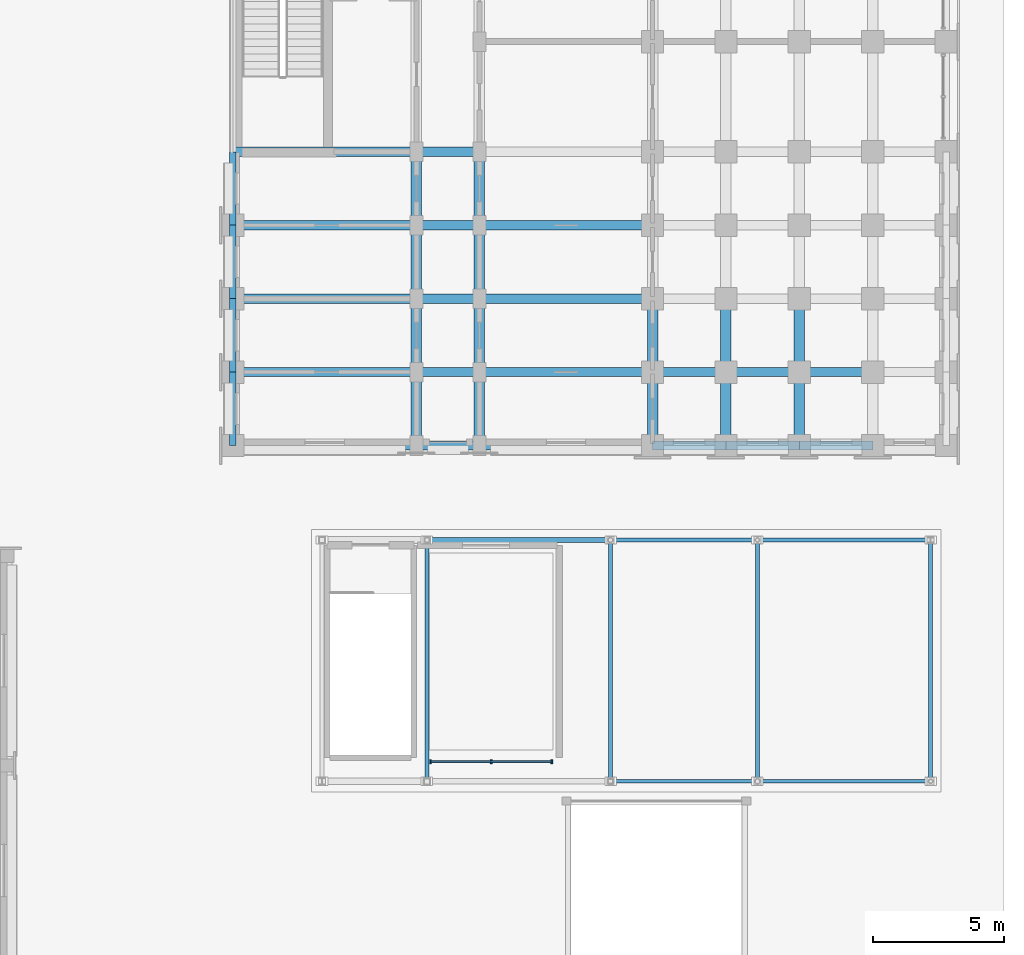
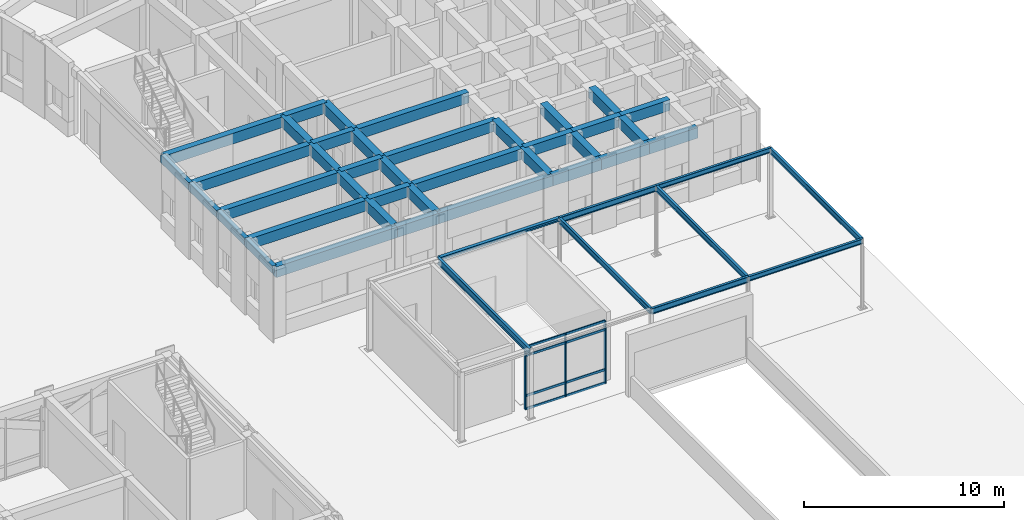
# One storey, part 47 of 135: 47 beams, 7 members, 1 element without a shape of its own.
"""IFC4 building model written with IfcOpenShell, lengths in metres."""

from ifc_helpers import new_model, si_unit, direction, frame, origin, origin_2d, place, context, subcontext, project, spatial, rectangle, i_section, extrude, material, material_profile, profile_set, type_object, element, aggregate, save


model = new_model("IFC4")

# Units and contexts
model_context = context("Model", 3, precision=1e-05, world=origin(), true_north=direction((0.0, 1.0)))
body_context = subcontext(model_context, "Body", "Model", "MODEL_VIEW")
ifc_project = project(units=[si_unit("LENGTHUNIT", "METRE"), si_unit("AREAUNIT", "SQUARE_METRE"), si_unit("VOLUMEUNIT", "CUBIC_METRE"), si_unit("PLANEANGLEUNIT", "RADIAN"), si_unit("MASSUNIT", "GRAM", prefix="KILO")], contexts=[model_context])

# Site, building, storey
site_placement = place(None, origin())
site = spatial("IfcSite", under=ifc_project, at=site_placement, CompositionType="ELEMENT")
building_placement = place(site_placement, origin())
building = spatial("IfcBuilding", under=site, at=building_placement, Name="Kiranvali Square Residences", CompositionType="ELEMENT")
storey_placement = place(building_placement, origin())
storey = spatial("IfcBuildingStorey", under=building, at=storey_placement, Name="L00", CompositionType="ELEMENT", Elevation=0.0)

# Beams
ifc_material_1 = material(Name="Concrete M40 (40 MPa)", Category="concrete")
ifc_material_profile_1 = material_profile(ifc_material_1, rectangle(XDim=0.35009765625, YDim=0.64990234375, at=origin_2d()), Name="RC 350x650")
ifc_profile_set_1 = profile_set([ifc_material_profile_1], Name="Concrete M40 (40 MPa)")
beam_type_1 = type_object("IfcBeamType", Name="BM-M40-350x650", PredefinedType="BEAM", material=ifc_profile_set_1)
beam_1_placement = place(storey_placement, frame((138.60009765625, 79.39990234375, 3.824951171875), z_axis=(1.0, 0.0, 0.0), x_axis=(0.0, 1.0, 0.0)))
element("IfcBeam", 1, at=beam_1_placement, inside=storey, type_object=beam_type_1, Name="L00 beam BM-B-L00-A2T1-01", PredefinedType="BEAM", context=body_context, shape_type="SweptSolid", body=[
    extrude(rectangle(XDim=0.35009765625, YDim=0.64990234375, at=origin_2d()), origin(), (0.0, 0.0, 1.0), 7.0),
])
beam_2_placement = place(storey_placement, frame((145.60009765625, 79.39990234375, 3.824951171875), z_axis=(1.0, 0.0, 0.0), x_axis=(0.0, 1.0, 0.0)))
element("IfcBeam", 2, at=beam_2_placement, inside=storey, type_object=beam_type_1, Name="L00 beam BM-B-L00-A2T1-12", PredefinedType="BEAM", context=body_context, shape_type="SweptSolid", body=[
    extrude(rectangle(XDim=0.35009765625, YDim=0.64990234375, at=origin_2d()), origin(), (0.0, 0.0, 1.0), 2.39990234375),
])
beam_3_placement = place(storey_placement, frame((138.60009765625, 76.60009765625, 3.824951171875), z_axis=(1.0, 0.0, 0.0), x_axis=(0.0, 1.0, 0.0)))
element("IfcBeam", 3, at=beam_3_placement, inside=storey, type_object=beam_type_1, Name="L00 beam BM-B-L00-A2T2-01", PredefinedType="BEAM", context=body_context, shape_type="SweptSolid", body=[
    extrude(rectangle(XDim=0.35009765625, YDim=0.64990234375, at=origin_2d()), origin(), (0.0, 0.0, 1.0), 7.0),
])
beam_4_placement = place(storey_placement, frame((145.60009765625, 76.60009765625, 3.824951171875), z_axis=(1.0, 0.0, 0.0), x_axis=(0.0, 1.0, 0.0)))
element("IfcBeam", 4, at=beam_4_placement, inside=storey, type_object=beam_type_1, Name="L00 beam BM-B-L00-A2T2-12", PredefinedType="BEAM", context=body_context, shape_type="SweptSolid", body=[
    extrude(rectangle(XDim=0.35009765625, YDim=0.64990234375, at=origin_2d()), origin(), (0.0, 0.0, 1.0), 2.39990234375),
])
beam_5_placement = place(storey_placement, frame((148.0, 76.60009765625, 3.824951171875), z_axis=(1.0, 0.0, 0.0), x_axis=(0.0, 1.0, 0.0)))
element("IfcBeam", 5, at=beam_5_placement, inside=storey, type_object=beam_type_1, Name="L00 beam BM-B-L00-A2T2-23", PredefinedType="BEAM", context=body_context, shape_type="SweptSolid", body=[
    extrude(rectangle(XDim=0.35009765625, YDim=0.64990234375, at=origin_2d()), origin(), (0.0, 0.0, 1.0), 6.60009765625),
])
beam_6_placement = place(storey_placement, frame((138.60009765625, 73.800048828125, 3.824951171875), z_axis=(1.0, 0.0, 0.0), x_axis=(0.0, 1.0, 0.0)))
element("IfcBeam", 6, at=beam_6_placement, inside=storey, type_object=beam_type_1, Name="L00 beam BM-B-L00-A2T3-01", PredefinedType="BEAM", context=body_context, shape_type="SweptSolid", body=[
    extrude(rectangle(XDim=0.35009765625, YDim=0.64990234375, at=origin_2d()), origin(), (0.0, 0.0, 1.0), 7.0),
])
beam_7_placement = place(storey_placement, frame((145.60009765625, 73.800048828125, 3.824951171875), z_axis=(1.0, 0.0, 0.0), x_axis=(0.0, 1.0, 0.0)))
element("IfcBeam", 7, at=beam_7_placement, inside=storey, type_object=beam_type_1, Name="L00 beam BM-B-L00-A2T3-12", PredefinedType="BEAM", context=body_context, shape_type="SweptSolid", body=[
    extrude(rectangle(XDim=0.35009765625, YDim=0.64990234375, at=origin_2d()), origin(), (0.0, 0.0, 1.0), 2.39990234375),
])
beam_8_placement = place(storey_placement, frame((148.0, 73.800048828125, 3.824951171875), z_axis=(1.0, 0.0, 0.0), x_axis=(0.0, 1.0, 0.0)))
element("IfcBeam", 8, at=beam_8_placement, inside=storey, type_object=beam_type_1, Name="L00 beam BM-B-L00-A2T3-23", PredefinedType="BEAM", context=body_context, shape_type="SweptSolid", body=[
    extrude(rectangle(XDim=0.35009765625, YDim=0.64990234375, at=origin_2d()), origin(), (0.0, 0.0, 1.0), 6.60009765625),
])
beam_9_placement = place(storey_placement, frame((138.60009765625, 71.0, 3.824951171875), z_axis=(1.0, 0.0, 0.0), x_axis=(0.0, 1.0, 0.0)))
element("IfcBeam", 9, at=beam_9_placement, inside=storey, type_object=beam_type_1, Name="L00 beam BM-B-L00-A2T4-01", PredefinedType="BEAM", context=body_context, shape_type="SweptSolid", body=[
    extrude(rectangle(XDim=0.35009765625, YDim=0.64990234375, at=origin_2d()), origin(), (0.0, 0.0, 1.0), 7.0),
])
beam_10_placement = place(storey_placement, frame((145.60009765625, 71.0, 3.824951171875), z_axis=(1.0, 0.0, 0.0), x_axis=(0.0, 1.0, 0.0)))
element("IfcBeam", 10, at=beam_10_placement, inside=storey, type_object=beam_type_1, Name="L00 beam BM-B-L00-A2T4-12", PredefinedType="BEAM", context=body_context, shape_type="SweptSolid", body=[
    extrude(rectangle(XDim=0.35009765625, YDim=0.64990234375, at=origin_2d()), origin(), (0.0, 0.0, 1.0), 2.39990234375),
])
beam_11_placement = place(storey_placement, frame((148.0, 71.0, 3.824951171875), z_axis=(1.0, 0.0, 0.0), x_axis=(0.0, 1.0, 0.0)))
element("IfcBeam", 11, at=beam_11_placement, inside=storey, type_object=beam_type_1, Name="L00 beam BM-B-L00-A2T4-23", PredefinedType="BEAM", context=body_context, shape_type="SweptSolid", body=[
    extrude(rectangle(XDim=0.35009765625, YDim=0.64990234375, at=origin_2d()), origin(), (0.0, 0.0, 1.0), 6.60009765625),
])
beam_12_placement = place(storey_placement, frame((154.60009765625, 71.0, 3.824951171875), z_axis=(1.0, 0.0, 0.0), x_axis=(0.0, 1.0, 0.0)))
element("IfcBeam", 12, at=beam_12_placement, inside=storey, type_object=beam_type_1, Name="L00 beam BM-B-L00-A2T4-34", PredefinedType="BEAM", context=body_context, shape_type="SweptSolid", body=[
    extrude(rectangle(XDim=0.35009765625, YDim=0.64990234375, at=origin_2d()), origin(), (0.0, 0.0, 1.0), 2.7998046875),
])
for number, where, z_axis, x_axis, name in (
    (13, (157.39990234375, 71.0, 3.824951171875), (1.0, 0.0, 0.0), (0.0, 1.0, 0.0), "L00 beam BM-B-L00-A2T4-45"),
    (14, (160.199951171875, 71.0, 3.824951171875), (1.0, 0.0, 0.0), (0.0, 1.0, 0.0), "L00 beam BM-B-L00-A2T4-56"),
):
    element("IfcBeam", number, at=place(storey_placement, frame(where, z_axis=z_axis, x_axis=x_axis)), inside=storey, type_object=beam_type_1, Name=name, PredefinedType="BEAM", context=body_context, shape_type="SweptSolid", body=[
        extrude(rectangle(XDim=0.35009765625, YDim=0.64990234375, at=origin_2d()), origin(), (0.0, 0.0, 1.0), 2.800048828125),
    ])
beam_13_placement = place(storey_placement, frame((138.60009765625, 68.199951171875, 3.824951171875), z_axis=(1.0, 0.0, 0.0), x_axis=(0.0, 1.0, 0.0)))
element("IfcBeam", 15, at=beam_13_placement, inside=storey, type_object=beam_type_1, Name="L00 beam BM-B-L00-A2T5-01", PredefinedType="BEAM", context=body_context, shape_type="SweptSolid", body=[
    extrude(rectangle(XDim=0.35009765625, YDim=0.64990234375, at=origin_2d()), origin(), (0.0, 0.0, 1.0), 7.0),
])
beam_14_placement = place(storey_placement, frame((145.60009765625, 68.199951171875, 3.824951171875), z_axis=(1.0, 0.0, 0.0), x_axis=(0.0, 1.0, 0.0)))
element("IfcBeam", 16, at=beam_14_placement, inside=storey, type_object=beam_type_1, Name="L00 beam BM-B-L00-A2T5-12", PredefinedType="BEAM", context=body_context, shape_type="SweptSolid", body=[
    extrude(rectangle(XDim=0.35009765625, YDim=0.64990234375, at=origin_2d()), origin(), (0.0, 0.0, 1.0), 2.39990234375),
])
beam_15_placement = place(storey_placement, frame((148.0, 68.199951171875, 3.824951171875), z_axis=(1.0, 0.0, 0.0), x_axis=(0.0, 1.0, 0.0)))
element("IfcBeam", 17, at=beam_15_placement, inside=storey, type_object=beam_type_1, Name="L00 beam BM-B-L00-A2T5-23", PredefinedType="BEAM", context=body_context, shape_type="SweptSolid", body=[
    extrude(rectangle(XDim=0.35009765625, YDim=0.64990234375, at=origin_2d()), origin(), (0.0, 0.0, 1.0), 6.60009765625),
])
beam_16_placement = place(storey_placement, frame((154.60009765625, 68.199951171875, 3.824951171875), z_axis=(1.0, 0.0, 0.0), x_axis=(0.0, 1.0, 0.0)))
element("IfcBeam", 18, at=beam_16_placement, inside=storey, type_object=beam_type_1, Name="L00 beam BM-B-L00-A2T5-34", PredefinedType="BEAM", context=body_context, shape_type="SweptSolid", body=[
    extrude(rectangle(XDim=0.35009765625, YDim=0.64990234375, at=origin_2d()), origin(), (0.0, 0.0, 1.0), 2.7998046875),
])
for number, where, z_axis, x_axis, name in (
    (19, (157.39990234375, 68.199951171875, 3.824951171875), (1.0, 0.0, 0.0), (0.0, 1.0, 0.0), "L00 beam BM-B-L00-A2T5-45"),
    (20, (160.199951171875, 68.199951171875, 3.824951171875), (1.0, 0.0, 0.0), (0.0, 1.0, 0.0), "L00 beam BM-B-L00-A2T5-56"),
):
    element("IfcBeam", number, at=place(storey_placement, frame(where, z_axis=z_axis, x_axis=x_axis)), inside=storey, type_object=beam_type_1, Name=name, PredefinedType="BEAM", context=body_context, shape_type="SweptSolid", body=[
        extrude(rectangle(XDim=0.35009765625, YDim=0.64990234375, at=origin_2d()), origin(), (0.0, 0.0, 1.0), 2.800048828125),
    ])
ifc_material_2 = material(Name="Concrete M45 (45 MPa)", Category="concrete")
ifc_material_profile_2 = material_profile(ifc_material_2, rectangle(XDim=0.39990234375, YDim=0.64990234375, at=origin_2d()), Name="RC 400x650")
ifc_profile_set_2 = profile_set([ifc_material_profile_2], Name="Concrete M45 (45 MPa)")
beam_type_2 = type_object("IfcBeamType", Name="BM-M45-400x650", PredefinedType="BEAM", material=ifc_profile_set_2)
beam_17_placement = place(storey_placement, frame((145.60009765625, 79.39990234375, 3.824951171875), z_axis=(0.0, -1.0, 0.0), x_axis=(1.0, 0.0, 0.0)))
element("IfcBeam", 21, at=beam_17_placement, inside=storey, type_object=beam_type_2, Name="L00 beam BM-B-L00-A2V1-R1", PredefinedType="BEAM", context=body_context, shape_type="SweptSolid", body=[
    extrude(rectangle(XDim=0.39990234375, YDim=0.64990234375, at=origin_2d()), origin(), (0.0, 0.0, 1.0), 2.7998046875),
])
for number, where, z_axis, x_axis, name in (
    (22, (145.60009765625, 76.60009765625, 3.824951171875), (0.0, -1.0, 0.0), (1.0, 0.0, 0.0), "L00 beam BM-B-L00-A2V2-R1"),
    (23, (145.60009765625, 73.800048828125, 3.824951171875), (0.0, -1.0, 0.0), (1.0, 0.0, 0.0), "L00 beam BM-B-L00-A2V3-R1"),
    (24, (145.60009765625, 71.0, 3.824951171875), (0.0, -1.0, 0.0), (1.0, 0.0, 0.0), "L00 beam BM-B-L00-A2V4-R1"),
):
    element("IfcBeam", number, at=place(storey_placement, frame(where, z_axis=z_axis, x_axis=x_axis)), inside=storey, type_object=beam_type_2, Name=name, PredefinedType="BEAM", context=body_context, shape_type="SweptSolid", body=[
        extrude(rectangle(XDim=0.39990234375, YDim=0.64990234375, at=origin_2d()), origin(), (0.0, 0.0, 1.0), 2.800048828125),
    ])
beam_18_placement = place(storey_placement, frame((148.0, 79.39990234375, 3.824951171875), z_axis=(0.0, -1.0, 0.0), x_axis=(1.0, 0.0, 0.0)))
element("IfcBeam", 25, at=beam_18_placement, inside=storey, type_object=beam_type_2, Name="L00 beam BM-B-L00-A2V2-R2", PredefinedType="BEAM", context=body_context, shape_type="SweptSolid", body=[
    extrude(rectangle(XDim=0.39990234375, YDim=0.64990234375, at=origin_2d()), origin(), (0.0, 0.0, 1.0), 2.7998046875),
])
for number, where, z_axis, x_axis, name in (
    (26, (148.0, 76.60009765625, 3.824951171875), (0.0, -1.0, 0.0), (1.0, 0.0, 0.0), "L00 beam BM-B-L00-A2V3-R2"),
    (27, (148.0, 73.800048828125, 3.824951171875), (0.0, -1.0, 0.0), (1.0, 0.0, 0.0), "L00 beam BM-B-L00-A2V4-R2"),
    (28, (148.0, 71.0, 3.824951171875), (0.0, -1.0, 0.0), (1.0, 0.0, 0.0), "L00 beam BM-B-L00-A2V5-R2"),
    (29, (154.60009765625, 73.800048828125, 3.824951171875), (0.0, -1.0, 0.0), (1.0, 0.0, 0.0), "L00 beam BM-B-L00-A2V4-R3"),
    (30, (154.60009765625, 71.0, 3.824951171875), (0.0, -1.0, 0.0), (1.0, 0.0, 0.0), "L00 beam BM-B-L00-A2V5-R3"),
    (31, (157.39990234375, 73.800048828125, 3.824951171875), (0.0, -1.0, 0.0), (1.0, 0.0, 0.0), "L00 beam BM-B-L00-A2V4-R4"),
    (32, (157.39990234375, 71.0, 3.824951171875), (0.0, -1.0, 0.0), (1.0, 0.0, 0.0), "L00 beam BM-B-L00-A2V5-R4"),
    (33, (160.199951171875, 73.800048828125, 3.824951171875), (0.0, -1.0, 0.0), (1.0, 0.0, 0.0), "L00 beam BM-B-L00-A2V4-R5"),
    (34, (160.199951171875, 71.0, 3.824951171875), (0.0, -1.0, 0.0), (1.0, 0.0, 0.0), "L00 beam BM-B-L00-A2V5-R5"),
):
    element("IfcBeam", number, at=place(storey_placement, frame(where, z_axis=z_axis, x_axis=x_axis)), inside=storey, type_object=beam_type_2, Name=name, PredefinedType="BEAM", context=body_context, shape_type="SweptSolid", body=[
        extrude(rectangle(XDim=0.39990234375, YDim=0.64990234375, at=origin_2d()), origin(), (0.0, 0.0, 1.0), 2.800048828125),
    ])

# Curtain wall, members
ifc_material_3 = material(Name="Anodised bronze aluminium framing", Category="aluminium")
curtain_wall_type = type_object("IfcCurtainWallType", Name="CW-RET-SHOP", PredefinedType="USERDEFINED", material=ifc_material_3)
curtain_wall_placement = place(storey_placement, origin())
curtain_wall = element("IfcCurtainWall", 35, at=curtain_wall_placement, inside=storey, type_object=curtain_wall_type, Name="East Street Mobility Kiosk South Glazed Front", ObjectType="CURTAIN WALL", PredefinedType="USERDEFINED")
ifc_material_profile_3 = material_profile(ifc_material_3, rectangle(XDim=0.06494140625, YDim=0.159912109375, at=origin_2d()), Name="ALU 65x160")
ifc_profile_set_3 = profile_set([ifc_material_profile_3], Name="Anodised bronze aluminium framing")
member_type_1 = type_object("IfcMemberType", Name="CW-MUL-160", PredefinedType="MULLION", material=ifc_profile_set_3)
member_1_placement = place(storey_placement, frame((146.139892578125, 56.14990234375, 0.02001953125), z_axis=(0.0, 0.0, 1.0), x_axis=(1.0, 0.0, 0.0)))
member_1 = element("IfcMember", 36, at=member_1_placement, type_object=member_type_1, Name="CW-KSK-E-1 vertical mullion 1", PredefinedType="MULLION", context=body_context, shape_type="SweptSolid", body=[
    extrude(rectangle(XDim=0.06494140625, YDim=0.159912109375, at=origin_2d()), origin(), (0.0, 0.0, 1.0), 3.81005859375),
])
member_2_placement = place(storey_placement, frame((148.449951171875, 56.14990234375, 0.02001953125), z_axis=(0.0, 0.0, 1.0), x_axis=(1.0, 0.0, 0.0)))
member_2 = element("IfcMember", 37, at=member_2_placement, type_object=member_type_1, Name="CW-KSK-E-1 vertical mullion 2", PredefinedType="MULLION", context=body_context, shape_type="SweptSolid", body=[
    extrude(rectangle(XDim=0.06494140625, YDim=0.159912109375, at=origin_2d()), origin(), (0.0, 0.0, 1.0), 3.81005859375),
])
member_3_placement = place(storey_placement, frame((150.760009765625, 56.14990234375, 0.02001953125), z_axis=(0.0, 0.0, 1.0), x_axis=(1.0, 0.0, 0.0)))
member_3 = element("IfcMember", 38, at=member_3_placement, type_object=member_type_1, Name="CW-KSK-E-1 vertical mullion 3", PredefinedType="MULLION", context=body_context, shape_type="SweptSolid", body=[
    extrude(rectangle(XDim=0.06494140625, YDim=0.159912109375, at=origin_2d()), origin(), (0.0, 0.0, 1.0), 3.81005859375),
])
ifc_material_profile_4 = material_profile(ifc_material_3, rectangle(XDim=0.06494140625, YDim=0.139892578125, at=origin_2d()), Name="ALU 65x140")
ifc_profile_set_4 = profile_set([ifc_material_profile_4], Name="Anodised bronze aluminium framing")
member_type_2 = type_object("IfcMemberType", Name="CW-TRN-140", PredefinedType="MULLION", material=ifc_profile_set_4)
member_4_placement = place(storey_placement, frame((146.14990234375, 56.14990234375, 0.0400390625), z_axis=(1.0, 0.0, 0.0), x_axis=(0.0, 1.0, 0.0)))
member_4 = element("IfcMember", 39, at=member_4_placement, type_object=member_type_2, Name="CW-KSK-E-1 horizontal transom 1", PredefinedType="MULLION", context=body_context, shape_type="SweptSolid", body=[
    extrude(rectangle(XDim=0.06494140625, YDim=0.139892578125, at=origin_2d()), origin(), (0.0, 0.0, 1.0), 4.60009765625),
])
member_5_placement = place(storey_placement, frame((146.14990234375, 56.14990234375, 0.85009765625), z_axis=(1.0, 0.0, 0.0), x_axis=(0.0, 1.0, 0.0)))
member_5 = element("IfcMember", 40, at=member_5_placement, type_object=member_type_2, Name="CW-KSK-E-1 horizontal transom 2", PredefinedType="MULLION", context=body_context, shape_type="SweptSolid", body=[
    extrude(rectangle(XDim=0.06494140625, YDim=0.139892578125, at=origin_2d()), origin(), (0.0, 0.0, 1.0), 4.60009765625),
])
member_6_placement = place(storey_placement, frame((146.14990234375, 56.14990234375, 3.300048828125), z_axis=(1.0, 0.0, 0.0), x_axis=(0.0, 1.0, 0.0)))
member_6 = element("IfcMember", 41, at=member_6_placement, type_object=member_type_2, Name="CW-KSK-E-1 horizontal transom 3", PredefinedType="MULLION", context=body_context, shape_type="SweptSolid", body=[
    extrude(rectangle(XDim=0.06494140625, YDim=0.139892578125, at=origin_2d()), origin(), (0.0, 0.0, 1.0), 4.60009765625),
])
member_7_placement = place(storey_placement, frame((146.14990234375, 56.14990234375, 3.81005859375), z_axis=(1.0, 0.0, 0.0), x_axis=(0.0, 1.0, 0.0)))
member_7 = element("IfcMember", 42, at=member_7_placement, type_object=member_type_2, Name="CW-KSK-E-1 horizontal transom 4", PredefinedType="MULLION", context=body_context, shape_type="SweptSolid", body=[
    extrude(rectangle(XDim=0.06494140625, YDim=0.139892578125, at=origin_2d()), origin(), (0.0, 0.0, 1.0), 4.60009765625),
])
aggregate(curtain_wall, [member_1, member_2, member_3, member_4, member_5, member_6, member_7])

# Beams
ifc_material_4 = material(Name="Structural steel E350", Category="steel")
ifc_material_profile_5 = material_profile(ifc_material_4, i_section(OverallWidth=0.199951171875, OverallDepth=0.199951171875, WebThickness=0.0078125, FlangeThickness=0.009033203125, at=origin_2d()), Name="ISHB 200")
ifc_profile_set_5 = profile_set([ifc_material_profile_5], Name="Structural steel E350")
beam_type_3 = type_object("IfcBeamType", Name="SBM-ISHB200", PredefinedType="BEAM", material=ifc_profile_set_5)
beam_19_placement = place(storey_placement, frame((146.0, 64.60009765625, 4.159912109375), z_axis=(1.0, 0.0, 0.0), x_axis=(0.0, 1.0, 0.0)))
element("IfcBeam", 43, at=beam_19_placement, inside=storey, type_object=beam_type_3, Name="East Street Ramp and Arcade Portal portal edge steel beam 2.2", PredefinedType="BEAM", context=body_context, shape_type="SweptSolid", body=[
    extrude(i_section(OverallWidth=0.199951171875, OverallDepth=0.199951171875, WebThickness=0.0078125, FlangeThickness=0.009033203125, at=origin_2d()), origin(), (0.0, 0.0, 1.0), 7.0),
])
ifc_material_profile_6 = material_profile(ifc_material_4, i_section(OverallWidth=0.139892578125, OverallDepth=0.300048828125, WebThickness=0.0078125, FlangeThickness=0.01318359375, at=origin_2d()), Name="ISMB 300")
ifc_profile_set_6 = profile_set([ifc_material_profile_6], Name="Structural steel E350")
beam_type_4 = type_object("IfcBeamType", Name="SBM-ISMB300", PredefinedType="BEAM", material=ifc_profile_set_6)
for number, where, z_axis, x_axis, name in (
    (44, (158.60009765625, 55.39990234375, 4.110107421875), (1.0, 0.0, 0.0), (0.0, 1.0, 0.0), "East Street Ramp and Arcade Portal portal edge steel beam 4.1"),
    (45, (158.60009765625, 64.60009765625, 4.110107421875), (1.0, 0.0, 0.0), (0.0, 1.0, 0.0), "East Street Ramp and Arcade Portal portal edge steel beam 4.2"),
):
    element("IfcBeam", number, at=place(storey_placement, frame(where, z_axis=z_axis, x_axis=x_axis)), inside=storey, type_object=beam_type_4, Name=name, PredefinedType="BEAM", context=body_context, shape_type="SweptSolid", body=[
        extrude(i_section(OverallWidth=0.139892578125, OverallDepth=0.300048828125, WebThickness=0.0078125, FlangeThickness=0.01318359375, at=origin_2d()), origin(), (0.0, 0.0, 1.0), 6.599853515625),
    ])
ifc_material_profile_7 = material_profile(ifc_material_4, i_section(OverallWidth=0.139892578125, OverallDepth=0.35009765625, WebThickness=0.008056640625, FlangeThickness=0.01416015625, at=origin_2d()), Name="ISMB 350")
ifc_profile_set_7 = profile_set([ifc_material_profile_7], Name="Structural steel E350")
beam_type_5 = type_object("IfcBeamType", Name="SBM-ISMB350", PredefinedType="BEAM", material=ifc_profile_set_7)
for number, where, z_axis, x_axis, name in (
    (46, (153.0, 55.39990234375, 4.0849609375), (1.0, 0.0, 0.0), (0.0, 1.0, 0.0), "East Street Ramp and Arcade Portal portal edge steel beam 3.1"),
    (47, (153.0, 64.60009765625, 4.0849609375), (1.0, 0.0, 0.0), (0.0, 1.0, 0.0), "East Street Ramp and Arcade Portal portal edge steel beam 3.2"),
):
    element("IfcBeam", number, at=place(storey_placement, frame(where, z_axis=z_axis, x_axis=x_axis)), inside=storey, type_object=beam_type_5, Name=name, PredefinedType="BEAM", context=body_context, shape_type="SweptSolid", body=[
        extrude(i_section(OverallWidth=0.139892578125, OverallDepth=0.35009765625, WebThickness=0.008056640625, FlangeThickness=0.01416015625, at=origin_2d()), origin(), (0.0, 0.0, 1.0), 5.60009765625),
    ])
for number, where, z_axis, x_axis, name in (
    (48, (153.0, 55.39990234375, 4.0849609375), (0.0, 1.0, 0.0), (-1.0, 0.0, 0.0), "East Street Ramp and Arcade Portal portal cross girder 3"),
    (49, (158.60009765625, 55.39990234375, 4.0849609375), (0.0, 1.0, 0.0), (-1.0, 0.0, 0.0), "East Street Ramp and Arcade Portal portal cross girder 4"),
    (50, (165.199951171875, 55.39990234375, 4.0849609375), (0.0, 1.0, 0.0), (-1.0, 0.0, 0.0), "East Street Ramp and Arcade Portal portal cross girder 5"),
):
    element("IfcBeam", number, at=place(storey_placement, frame(where, z_axis=z_axis, x_axis=x_axis)), inside=storey, type_object=beam_type_5, Name=name, PredefinedType="BEAM", context=body_context, shape_type="SweptSolid", body=[
        extrude(i_section(OverallWidth=0.139892578125, OverallDepth=0.35009765625, WebThickness=0.008056640625, FlangeThickness=0.01416015625, at=origin_2d()), origin(), (0.0, 0.0, 1.0), 9.2001953125),
    ])
ifc_material_profile_8 = material_profile(ifc_material_4, i_section(OverallWidth=0.139892578125, OverallDepth=0.39990234375, WebThickness=0.0087890625, FlangeThickness=0.01611328125, at=origin_2d()), Name="ISMB 400")
ifc_profile_set_8 = profile_set([ifc_material_profile_8], Name="Structural steel E350")
beam_type_6 = type_object("IfcBeamType", Name="SBM-ISMB400", PredefinedType="BEAM", material=ifc_profile_set_8)
beam_20_placement = place(storey_placement, frame((146.0, 55.39990234375, 4.06005859375), z_axis=(0.0, 1.0, 0.0), x_axis=(-1.0, 0.0, 0.0)))
element("IfcBeam", 51, at=beam_20_placement, inside=storey, type_object=beam_type_6, Name="East Street Ramp and Arcade Portal portal cross girder 2", PredefinedType="BEAM", context=body_context, shape_type="SweptSolid", body=[
    extrude(i_section(OverallWidth=0.139892578125, OverallDepth=0.39990234375, WebThickness=0.0087890625, FlangeThickness=0.01611328125, at=origin_2d()), origin(), (0.0, 0.0, 1.0), 9.2001953125),
])
ifc_material_profile_9 = material_profile(ifc_material_1, rectangle(XDim=0.25, YDim=0.449951171875, at=origin_2d()), Name="RC 250x450")
ifc_profile_set_9 = profile_set([ifc_material_profile_9], Name="Concrete M40 (40 MPa)")
beam_type_7 = type_object("IfcBeamType", Name="SPN-M40-250x450", PredefinedType="SPANDREL", material=ifc_profile_set_9)
beam_21_placement = place(storey_placement, frame((138.60009765625, 79.39990234375, 3.925048828125), z_axis=(0.0, -1.0, 0.0), x_axis=(1.0, 0.0, 0.0)))
element("IfcBeam", 52, at=beam_21_placement, inside=storey, type_object=beam_type_7, Name="L00 beam BM-B-L00-A2V1-R0", PredefinedType="SPANDREL", context=body_context, shape_type="SweptSolid", body=[
    extrude(rectangle(XDim=0.25, YDim=0.449951171875, at=origin_2d()), origin(), (0.0, 0.0, 1.0), 2.7998046875),
])
for number, where, z_axis, x_axis, name in (
    (53, (138.60009765625, 76.60009765625, 3.925048828125), (0.0, -1.0, 0.0), (1.0, 0.0, 0.0), "L00 beam BM-B-L00-A2V2-R0"),
    (54, (138.60009765625, 73.800048828125, 3.925048828125), (0.0, -1.0, 0.0), (1.0, 0.0, 0.0), "L00 beam BM-B-L00-A2V3-R0"),
    (55, (138.60009765625, 71.0, 3.925048828125), (0.0, -1.0, 0.0), (1.0, 0.0, 0.0), "L00 beam BM-B-L00-A2V4-R0"),
):
    element("IfcBeam", number, at=place(storey_placement, frame(where, z_axis=z_axis, x_axis=x_axis)), inside=storey, type_object=beam_type_7, Name=name, PredefinedType="SPANDREL", context=body_context, shape_type="SweptSolid", body=[
        extrude(rectangle(XDim=0.25, YDim=0.449951171875, at=origin_2d()), origin(), (0.0, 0.0, 1.0), 2.800048828125),
    ])

save(model, "model.ifc")
